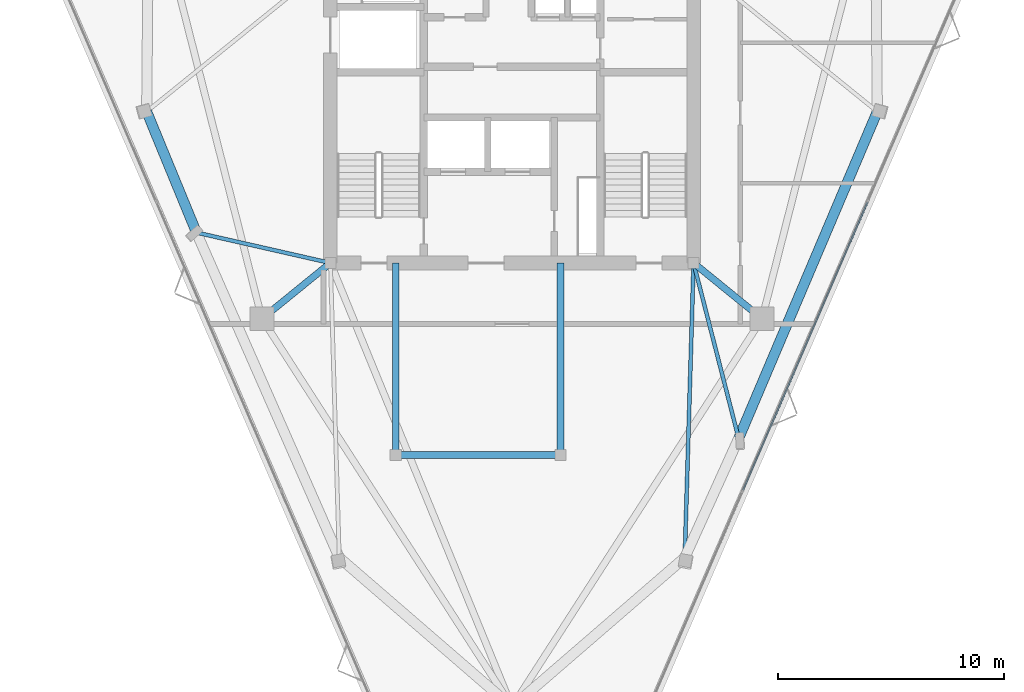
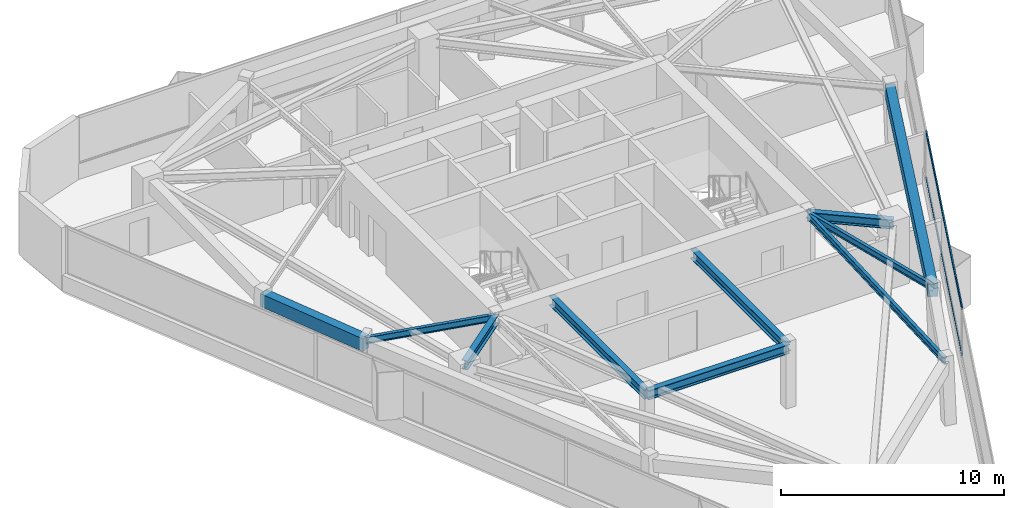
# One storey, part 3 of 11: 10 beams, 2 members, 1 element without a shape of its own.
"""IFC4 building model written with IfcOpenShell, lengths in metres."""

from ifc_helpers import new_model, si_unit, direction, frame, origin, origin_2d, place, context, subcontext, project, spatial, rectangle, i_section, extrude, material, layer, layer_set, material_profile, profile_set, type_object, element, aggregate, save


model = new_model("IFC4")

# Units and contexts
model_context = context("Model", 3, precision=1e-05, world=origin(), true_north=direction((0.0, 1.0)))
body_context = subcontext(model_context, "Body", "Model", "MODEL_VIEW")
ifc_project = project(units=[si_unit("LENGTHUNIT", "METRE"), si_unit("AREAUNIT", "SQUARE_METRE"), si_unit("VOLUMEUNIT", "CUBIC_METRE"), si_unit("PLANEANGLEUNIT", "RADIAN"), si_unit("MASSUNIT", "GRAM", prefix="KILO")], contexts=[model_context])

# Site, building, storey
site_placement = place(None, origin())
site = spatial("IfcSite", under=ifc_project, at=site_placement, CompositionType="ELEMENT")
building_placement = place(site_placement, origin())
building = spatial("IfcBuilding", under=site, at=building_placement, Name="Talyreon Biosciences Tower", CompositionType="ELEMENT")
storey_placement = place(building_placement, frame((0.0, 0.0, 283.800048828125)))
storey = spatial("IfcBuildingStorey", under=building, at=storey_placement, Name="L75", CompositionType="ELEMENT", Elevation=283.800048828125)

# Curtain wall, members
ifc_material_1 = material(Name="Thermally broken aluminium and low-E glazing", Category="aluminium")
ifc_layer = layer(ifc_material_1, 0.175048828125)
ifc_layer_set = layer_set([ifc_layer], Name="Thermally broken aluminium and low-E glazing")
curtain_wall_type = type_object("IfcCurtainWallType", Name="CurtainWall_Zone5CompLab", PredefinedType="NOTDEFINED", material=ifc_layer_set)
curtain_wall_placement = place(storey_placement, origin())
curtain_wall = element("IfcCurtainWall", 1, at=curtain_wall_placement, inside=storey, type_object=curtain_wall_type, Name="L75 Unitised Curtain Wall FCW-L75-08", PredefinedType="NOTDEFINED")
ifc_material_2 = material(Name="Anodised thermally broken aluminium", Category="aluminium")
ifc_material_profile_1 = material_profile(ifc_material_2, rectangle(XDim=0.06494140625, YDim=0.139892578125, at=origin_2d()), Name="ALUM TRANSOM 65x140")
ifc_profile_set_1 = profile_set([ifc_material_profile_1], Name="Anodised thermally broken aluminium")
member_type = type_object("IfcMemberType", Name="CWTransom_65x140", PredefinedType="USERDEFINED", material=ifc_profile_set_1)
member_1_placement = place(storey_placement, frame((81.75927734375, 64.040771484375, 0.842529296875), z_axis=(-0.396534284653, -0.918019913234, 0.0), x_axis=(0.918019913234, -0.396534284653, 0.0)))
member_1 = element("IfcMember", 2, at=member_1_placement, type_object=member_type, Name="CW6 transom 2.1", ObjectType="TRANSOM", PredefinedType="USERDEFINED", context=body_context, shape_type="SweptSolid", body=[
    extrude(rectangle(XDim=0.06494140625, YDim=0.139892578125, at=origin_2d()), origin(), (0.0, 0.0, 1.0), 13.89599609375),
])
member_2_placement = place(storey_placement, frame((81.75927734375, 64.040771484375, 3.367431640625), z_axis=(-0.396534284653, -0.918019913234, 0.0), x_axis=(0.918019913234, -0.396534284653, 0.0)))
member_2 = element("IfcMember", 3, at=member_2_placement, type_object=member_type, Name="CW6 transom 2.2", ObjectType="TRANSOM", PredefinedType="USERDEFINED", context=body_context, shape_type="SweptSolid", body=[
    extrude(rectangle(XDim=0.06494140625, YDim=0.139892578125, at=origin_2d()), origin(), (0.0, 0.0, 1.0), 13.89599609375),
])
aggregate(curtain_wall, [member_1, member_2])

# Beams
ifc_material_3 = material(Name="Precast concrete C45/55", Category="concrete")
ifc_material_profile_2 = material_profile(ifc_material_3, rectangle(XDim=0.449951171875, YDim=0.699951171875, at=origin_2d()), Name="RCB 450x700")
ifc_profile_set_2 = profile_set([ifc_material_profile_2], Name="Precast concrete C45/55")
beam_type_1 = type_object("IfcBeamType", Name="ExpressedSpandrel_450x700", PredefinedType="SPANDREL", material=ifc_profile_set_2)
beam_1_placement = place(storey_placement, frame((76.04931640625, 53.572998046875, 3.050048828125), z_axis=(0.39057334806, 0.920571811314, 0.0), x_axis=(-0.920571811314, 0.39057334806, 0.0)))
element("IfcBeam", 4, at=beam_1_placement, inside=storey, type_object=beam_type_1, Name="L75 Expressed Horizontal Concrete Spandrel 03", PredefinedType="SPANDREL", context=body_context, shape_type="SweptSolid", body=[
    extrude(rectangle(XDim=0.449951171875, YDim=0.699951171875, at=origin_2d()), origin(), (0.0, 0.0, 1.0), 15.740234375),
])
beam_2_placement = place(storey_placement, frame((49.802978515625, 68.06298828125, 3.050048828125), z_axis=(0.380546540324, -0.924761769672, 0.0), x_axis=(0.924761769672, 0.380546540324, 0.0)))
element("IfcBeam", 5, at=beam_2_placement, inside=storey, type_object=beam_type_1, Name="L75 Expressed Horizontal Concrete Spandrel 10", PredefinedType="SPANDREL", context=body_context, shape_type="SweptSolid", body=[
    extrude(rectangle(XDim=0.449951171875, YDim=0.699951171875, at=origin_2d()), origin(), (0.0, 0.0, 1.0), 5.799560546875),
])
ifc_material_4 = material(Name="Steel SM355", Category="steel")
ifc_material_profile_3 = material_profile(ifc_material_4, i_section(OverallWidth=0.300048828125, OverallDepth=0.5, WebThickness=0.014404296875, FlangeThickness=0.028076171875, FilletRadius=0.027099609375, at=origin_2d()), Name="HE500B")
ifc_profile_set_3 = profile_set([ifc_material_profile_3], Name="Steel SM355")
beam_type_2 = type_object("IfcBeamType", Name="SteelBeam_HE500B", PredefinedType="BEAM", material=ifc_profile_set_3)
for number, where, z_axis, x_axis, name in (
    (6, (74.050048828125, 61.35009765625, 3.14990234375), (0.775755154013, -0.631034025249, 0.0), (0.631034025249, 0.775755154013, 0.0), "L75 Radial Primary Girder 2"),
    (7, (57.949951171875, 61.35009765625, 3.14990234375), (-0.775755154013, -0.631034025249, 0.0), (0.631034025249, -0.775755154013, 0.0), "L75 Radial Primary Girder 6"),
):
    element("IfcBeam", number, at=place(storey_placement, frame(where, z_axis=z_axis, x_axis=x_axis)), inside=storey, type_object=beam_type_2, Name=name, PredefinedType="BEAM", context=body_context, shape_type="SweptSolid", body=[
        extrude(i_section(OverallWidth=0.300048828125, OverallDepth=0.5, WebThickness=0.014404296875, FlangeThickness=0.028076171875, FilletRadius=0.027099609375, at=origin_2d()), origin(), (0.0, 0.0, 1.0), 3.913818359375),
    ])
beam_3_placement = place(storey_placement, frame((60.85009765625, 52.840087890625, 3.14990234375), z_axis=(1.0, 0.0, 0.0), x_axis=(0.0, 1.0, 0.0)))
element("IfcBeam", 8, at=beam_3_placement, inside=storey, type_object=beam_type_2, Name="L75 Crown Shaft Spine Girder S", PredefinedType="BEAM", context=body_context, shape_type="SweptSolid", body=[
    extrude(i_section(OverallWidth=0.300048828125, OverallDepth=0.5, WebThickness=0.014404296875, FlangeThickness=0.028076171875, FilletRadius=0.027099609375, at=origin_2d()), origin(), (0.0, 0.0, 1.0), 7.2998046875),
])
for number, where, z_axis, x_axis, name in (
    (9, (60.85009765625, 52.840087890625, 3.14990234375), (0.0, 1.0, 0.0), (-1.0, 0.0, 0.0), "L75 Crown Shaft Tie Girder W"),
    (10, (68.14990234375, 52.840087890625, 3.14990234375), (0.0, 1.0, 0.0), (-1.0, 0.0, 0.0), "L75 Crown Shaft Tie Girder E"),
):
    element("IfcBeam", number, at=place(storey_placement, frame(where, z_axis=z_axis, x_axis=x_axis)), inside=storey, type_object=beam_type_2, Name=name, PredefinedType="BEAM", context=body_context, shape_type="SweptSolid", body=[
        extrude(i_section(OverallWidth=0.300048828125, OverallDepth=0.5, WebThickness=0.014404296875, FlangeThickness=0.028076171875, FilletRadius=0.027099609375, at=origin_2d()), origin(), (0.0, 0.0, 1.0), 8.510009765625),
    ])
ifc_material_profile_4 = material_profile(ifc_material_4, i_section(OverallWidth=0.169921875, OverallDepth=0.360107421875, WebThickness=0.008056640625, FlangeThickness=0.0126953125, FilletRadius=0.01806640625, at=origin_2d()), Name="IPE360")
ifc_profile_set_4 = profile_set([ifc_material_profile_4], Name="Steel SM355")
beam_type_3 = type_object("IfcBeamType", Name="SteelJoist_IPE360", PredefinedType="JOIST", material=ifc_profile_set_4)
beam_4_placement = place(storey_placement, frame((74.050048828125, 61.35009765625, 3.219970703125), z_axis=(-0.029949735582, -0.999551406051, 0.0), x_axis=(0.999551406051, -0.029949735582, 0.0)))
element("IfcBeam", 11, at=beam_4_placement, inside=storey, type_object=beam_type_3, Name="L75 Radial Composite Floor Joist PC-SE1", PredefinedType="JOIST", context=body_context, shape_type="SweptSolid", body=[
    extrude(i_section(OverallWidth=0.169921875, OverallDepth=0.360107421875, WebThickness=0.008056640625, FlangeThickness=0.0126953125, FilletRadius=0.01806640625, at=origin_2d()), origin(), (0.0, 0.0, 1.0), 13.067138671875),
])
beam_5_placement = place(storey_placement, frame((74.050048828125, 61.35009765625, 3.219970703125), z_axis=(0.248975855215, -0.968509692011, 0.0), x_axis=(0.968509692011, 0.248975855215, 0.0)))
element("IfcBeam", 12, at=beam_5_placement, inside=storey, type_object=beam_type_3, Name="L75 Radial Composite Floor Joist PL-SE", PredefinedType="JOIST", context=body_context, shape_type="SweptSolid", body=[
    extrude(i_section(OverallWidth=0.169921875, OverallDepth=0.360107421875, WebThickness=0.008056640625, FlangeThickness=0.0126953125, FilletRadius=0.01806640625, at=origin_2d()), origin(), (0.0, 0.0, 1.0), 8.030029296875),
])
beam_6_placement = place(storey_placement, frame((57.949951171875, 61.35009765625, 3.219970703125), z_axis=(-0.975146240258, 0.221562203705, 0.0), x_axis=(-0.221562203705, -0.975146240258, 0.0)))
element("IfcBeam", 13, at=beam_6_placement, inside=storey, type_object=beam_type_3, Name="L75 Radial Composite Floor Joist PL-SW", PredefinedType="JOIST", context=body_context, shape_type="SweptSolid", body=[
    extrude(i_section(OverallWidth=0.169921875, OverallDepth=0.360107421875, WebThickness=0.008056640625, FlangeThickness=0.0126953125, FilletRadius=0.01806640625, at=origin_2d()), origin(), (0.0, 0.0, 1.0), 6.09130859375),
])

save(model, "model.ifc")
